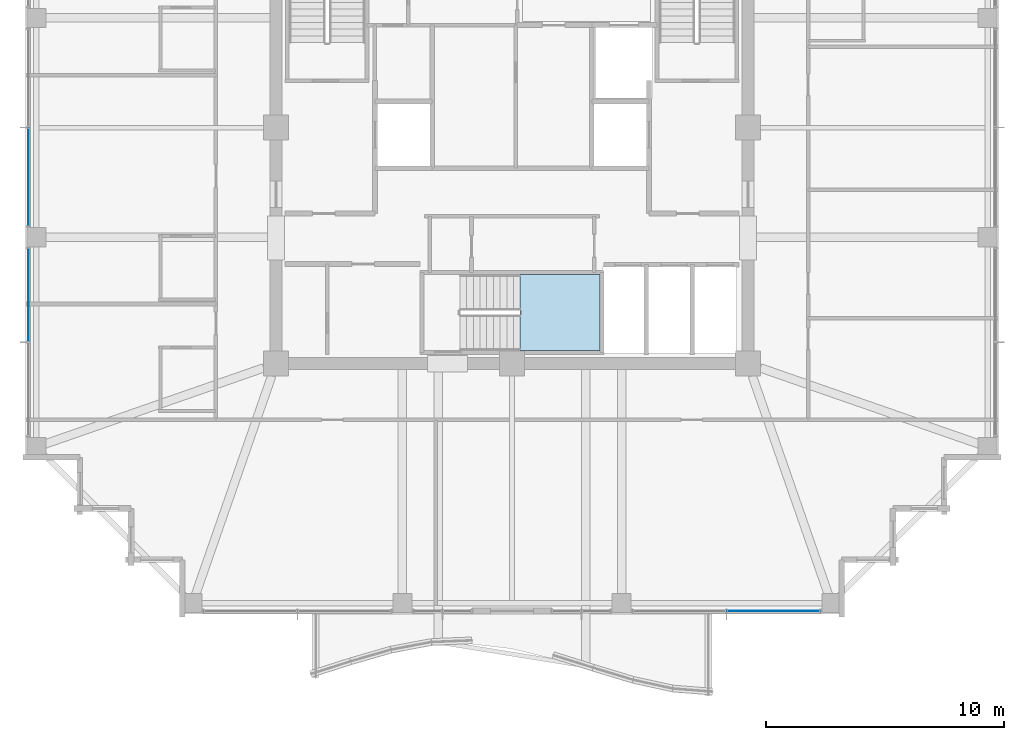
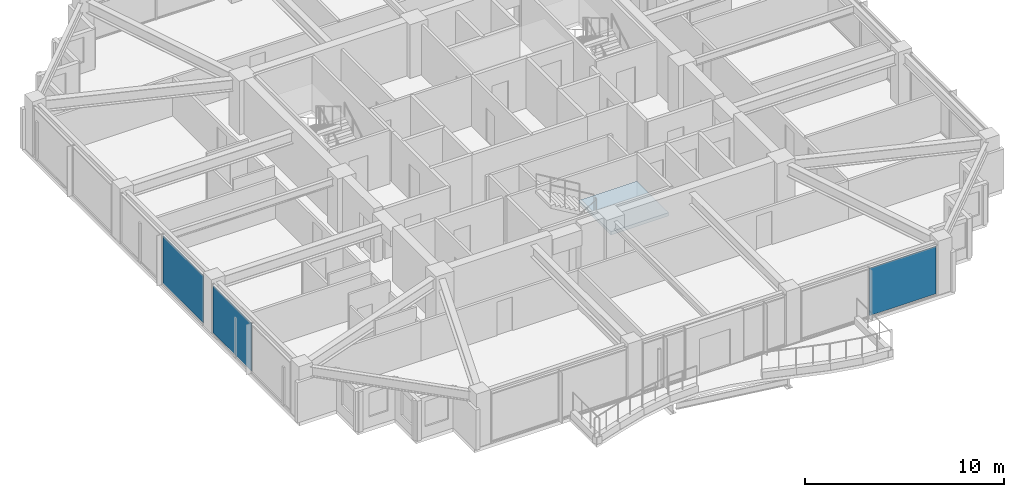
# One storey, part 24 of 36: 3 plates, 1 slab, 4 elements without a shape of their own.
"""IFC4 building model written with IfcOpenShell, lengths in metres."""

from ifc_helpers import new_model, si_unit, direction, frame, origin, origin_2d, place, context, subcontext, project, spatial, polyline, rectangle, outline, extrude, material, layer, layer_set, type_object, element, aggregate, save


model = new_model("IFC4")

# Units and contexts
model_context = context("Model", 3, precision=1e-05, world=origin(), true_north=direction((0.0, 1.0)))
body_context = subcontext(model_context, "Body", "Model", "MODEL_VIEW")
ifc_project = project(units=[si_unit("LENGTHUNIT", "METRE"), si_unit("AREAUNIT", "SQUARE_METRE"), si_unit("VOLUMEUNIT", "CUBIC_METRE"), si_unit("PLANEANGLEUNIT", "RADIAN"), si_unit("MASSUNIT", "GRAM", prefix="KILO")], contexts=[model_context])

# Site, building, storey
site_placement = place(None, origin())
site = spatial("IfcSite", under=ifc_project, at=site_placement, CompositionType="ELEMENT")
building_placement = place(site_placement, origin())
building = spatial("IfcBuilding", under=site, at=building_placement, Name="Kolvaren Belvedere", CompositionType="ELEMENT")
storey_placement = place(building_placement, frame((0.0, 0.0, 193.199951171875)))
storey = spatial("IfcBuildingStorey", under=building, at=storey_placement, Name="L56", CompositionType="ELEMENT", Elevation=193.199951171875)

# Curtain wall, plate
ifc_material_1 = material(Name="Anodised pale-metal aluminium AA 6063-T6", Category="aluminium")
curtain_wall_type = type_object("IfcCurtainWallType", Name="CW-Z5-HIGH", PredefinedType="NOTDEFINED", material=ifc_material_1)
curtain_wall_1_placement = place(storey_placement, origin())
curtain_wall_1 = element("IfcCurtainWall", 1, at=curtain_wall_1_placement, inside=storey, type_object=curtain_wall_type, Name="L56 Unitised Curtain Wall FCW-L56-S1-B1", PredefinedType="NOTDEFINED")
ifc_material_2 = material(Name="Low-iron triple insulated glass", Category="glass")
ifc_layer_1 = layer(ifc_material_2, 0.028076171875)
ifc_layer_set_1 = layer_set([ifc_layer_1], Name="Low-iron triple insulated glass")
plate_type = type_object("IfcPlateType", Name="CW-PNL-VIS28", PredefinedType="CURTAIN_PANEL", material=ifc_layer_set_1)
plate_1_placement = place(storey_placement, frame((10.972412109375, -20.280029296875, 0.080078125), z_axis=(0.0, 0.0, 1.0), x_axis=(-1.0, 0.0, 0.0)))
plate_1 = element("IfcPlate", 2, at=plate_1_placement, type_object=plate_type, Name="FCW-L56-S1-B1 Vision Glazing Panel 1", PredefinedType="CURTAIN_PANEL", context=body_context, shape_type="SweptSolid", body=[
    extrude(rectangle(XDim=3.864990234375, YDim=0.028076171875, at=origin_2d()), origin(), (0.0, 0.0, 1.0), 2.919921875),
])
aggregate(curtain_wall_1, [plate_1])

curtain_wall_2_placement = place(storey_placement, origin())
curtain_wall_2 = element("IfcCurtainWall", 3, at=curtain_wall_2_placement, inside=storey, type_object=curtain_wall_type, Name="L56 Unitised Curtain Wall FCW-L56-W-B1", PredefinedType="NOTDEFINED")
plate_2_placement = place(storey_placement, frame((-20.280029296875, -7.027587890625, 0.080078125), z_axis=(0.0, 0.0, 1.0), x_axis=(0.0, 1.0, 0.0)))
plate_2 = element("IfcPlate", 4, at=plate_2_placement, type_object=plate_type, Name="FCW-L56-W-B1 Vision Glazing Panel 2", PredefinedType="CURTAIN_PANEL", context=body_context, shape_type="SweptSolid", body=[
    extrude(rectangle(XDim=3.864990234375, YDim=0.028076171875, at=origin_2d()), origin(), (0.0, 0.0, 1.0), 2.919921875),
])
aggregate(curtain_wall_2, [plate_2])

curtain_wall_3_placement = place(storey_placement, origin())
curtain_wall_3 = element("IfcCurtainWall", 5, at=curtain_wall_3_placement, inside=storey, type_object=curtain_wall_type, Name="L56 Unitised Curtain Wall FCW-L56-W-B2", PredefinedType="NOTDEFINED")
plate_3_placement = place(storey_placement, frame((-20.280029296875, -2.072509765625, 0.080078125), z_axis=(0.0, 0.0, 1.0), x_axis=(0.0, 1.0, 0.0)))
plate_3 = element("IfcPlate", 6, at=plate_3_placement, type_object=plate_type, Name="FCW-L56-W-B2 Vision Glazing Panel 1", PredefinedType="CURTAIN_PANEL", context=body_context, shape_type="SweptSolid", body=[
    extrude(rectangle(XDim=4.06494140625, YDim=0.028076171875, at=origin_2d()), origin(), (0.0, 0.0, 1.0), 2.919921875),
])
aggregate(curtain_wall_3, [plate_3])

# Stair, slab
ifc_material_3 = material(Name="Concrete C50/60", Category="concrete")
stair_type = type_object("IfcStairType", Name="ST-CORE-1520", PredefinedType="HALF_TURN_STAIR", material=ifc_material_3)
stair_placement = place(storey_placement, origin())
stair = element("IfcStair", 7, at=stair_placement, inside=storey, type_object=stair_type, Name="L56 Protected Exit Stair ST-3", PredefinedType="HALF_TURN_STAIR")
ifc_material_4 = material(Name="Concrete C50/60", Category="concrete")
ifc_layer_2 = layer(ifc_material_4, 0.260009765625)
ifc_layer_set_2 = layer_set([ifc_layer_2], Name="Concrete C50/60")
slab_type = type_object("IfcSlabType", Name="SL-LAND-260", PredefinedType="LANDING", material=ifc_layer_set_2)
slab_placement = place(storey_placement, frame((0.0, 0.0, 1.449951171875)))
slab = element("IfcSlab", 8, at=slab_placement, type_object=slab_type, Name="ST-3 landing 1", PredefinedType="LANDING", context=body_context, shape_type="SweptSolid", body=[
    extrude(outline(polyline([(0.340087890625, -9.35009765625), (3.699951171875, -9.35009765625), (3.699951171875, -6.159912109375), (0.340087890625, -6.159912109375), (0.340087890625, -9.35009765625)])), origin(), (0.0, 0.0, 1.0), 0.2001953125),
])
aggregate(stair, [slab])

save(model, "model.ifc")
